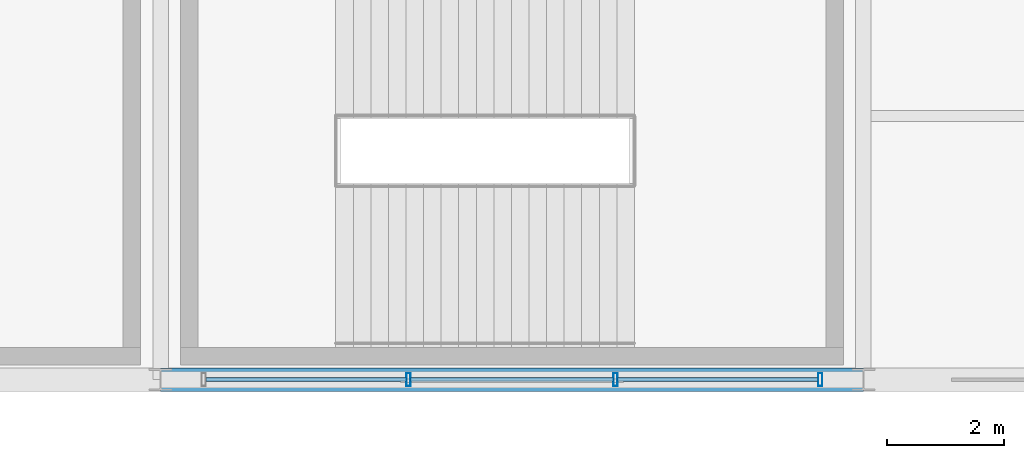
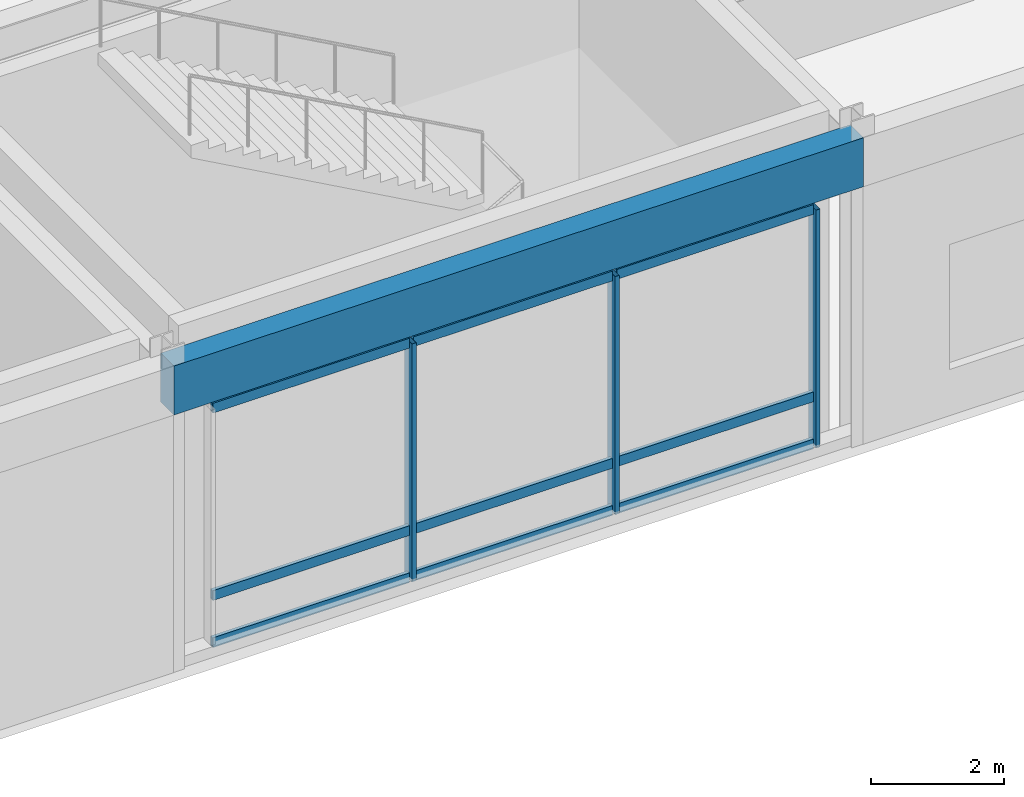
# One storey, part 47 of 108: 12 members, 1 beam, 1 element without a shape of its own.
"""IFC4 building model written with IfcOpenShell, lengths in metres."""

from ifc_helpers import new_model, si_unit, direction, frame, origin, origin_2d, place, context, subcontext, project, spatial, rectangle, hollow_rectangle, extrude, material, material_profile, profile_set, type_object, element, aggregate, save


model = new_model("IFC4")

# Units and contexts
model_context = context("Model", 3, precision=1e-05, world=origin(), true_north=direction((0.0, 1.0)))
body_context = subcontext(model_context, "Body", "Model", "MODEL_VIEW")
ifc_project = project(units=[si_unit("LENGTHUNIT", "METRE"), si_unit("AREAUNIT", "SQUARE_METRE"), si_unit("VOLUMEUNIT", "CUBIC_METRE"), si_unit("PLANEANGLEUNIT", "RADIAN"), si_unit("MASSUNIT", "GRAM", prefix="KILO")], contexts=[model_context])

# Site, building, storey
site_placement = place(None, origin())
site = spatial("IfcSite", under=ifc_project, at=site_placement, CompositionType="ELEMENT")
building_placement = place(site_placement, origin())
building = spatial("IfcBuilding", under=site, at=building_placement, Name="Kaldorvane Square Convention Centre", CompositionType="ELEMENT")
storey_placement = place(building_placement, frame((0.0, 0.0, 12.0)))
storey = spatial("IfcBuildingStorey", under=building, at=storey_placement, Name="L02", CompositionType="ELEMENT", Elevation=12.0)

# Beam
ifc_material_1 = material(Name="Concrete f'c = 42 MPa (Normalweight)", Category="concrete")
ifc_material_profile_1 = material_profile(ifc_material_1, rectangle(XDim=0.399993896484375, YDim=0.899993896484375, at=origin_2d()), Name="RCSP900X400")
ifc_profile_set_1 = profile_set([ifc_material_profile_1], Name="Concrete f'c = 42 MPa (Normalweight)")
beam_type = type_object("IfcBeamType", Name="BM-SP-RC900", PredefinedType="SPANDREL", material=ifc_profile_set_1)
beam_placement = place(storey_placement, frame((126.0, 0.0, 5.1959991455078125), z_axis=(1.0, 0.0, 0.0), x_axis=(0.0, 1.0, 0.0)))
element("IfcBeam", 1, at=beam_placement, inside=storey, type_object=beam_type, Name="Perimeter Spandrel (L02)", PredefinedType="SPANDREL", context=body_context, shape_type="SweptSolid", body=[
    extrude(rectangle(XDim=0.399993896484375, YDim=0.899993896484375, at=origin_2d()), origin(), (0.0, 0.0, 1.0), 12.0),
])

# Curtain wall, members
ifc_material_2 = material(Name="Anodized Aluminum and Low-E Insulated Glazing", Category="aluminium")
curtain_wall_type = type_object("IfcCurtainWallType", Name="CW-UNI-P60-12", PredefinedType="USERDEFINED", material=ifc_material_2)
curtain_wall_placement = place(storey_placement, origin())
curtain_wall = element("IfcCurtainWall", 2, at=curtain_wall_placement, inside=storey, type_object=curtain_wall_type, Name="Curtain Wall CW-01 (L02)", ObjectType="UNITISED GLAZING", PredefinedType="USERDEFINED")
ifc_material_profile_2 = material_profile(ifc_material_2, hollow_rectangle(XDim=0.0749969482421875, YDim=0.220001220703125, WallThickness=0.003997802734375, at=origin_2d()), Name="CWM-220X75")
ifc_profile_set_2 = profile_set([ifc_material_profile_2], Name="Anodized Aluminum and Low-E Insulated Glazing")
member_type_1 = type_object("IfcMemberType", Name="CW-MUL-220", PredefinedType="MULLION", material=ifc_profile_set_2)
member_1_placement = place(storey_placement, frame((130.23333740234375, 0.0, 0.149993896484375), z_axis=(0.0, 0.0, 1.0), x_axis=(1.0, 0.0, 0.0)))
member_1 = element("IfcMember", 3, at=member_1_placement, type_object=member_type_1, Name="CW-01 mullion 2", PredefinedType="MULLION", context=body_context, shape_type="SweptSolid", body=[
    extrude(hollow_rectangle(XDim=0.0749969482421875, YDim=0.220001220703125, WallThickness=0.003997802734375, at=origin_2d()), origin(), (0.0, 0.0, 1.0), 4.3800048828125),
])
member_2_placement = place(storey_placement, frame((133.76666259765625, 0.0, 0.149993896484375), z_axis=(0.0, 0.0, 1.0), x_axis=(1.0, 0.0, 0.0)))
member_2 = element("IfcMember", 4, at=member_2_placement, type_object=member_type_1, Name="CW-01 mullion 3", PredefinedType="MULLION", context=body_context, shape_type="SweptSolid", body=[
    extrude(hollow_rectangle(XDim=0.0749969482421875, YDim=0.220001220703125, WallThickness=0.003997802734375, at=origin_2d()), origin(), (0.0, 0.0, 1.0), 4.3800048828125),
])
member_3_placement = place(storey_placement, frame((137.2624969482422, 0.0, 0.149993896484375), z_axis=(0.0, 0.0, 1.0), x_axis=(1.0, 0.0, 0.0)))
member_3 = element("IfcMember", 5, at=member_3_placement, type_object=member_type_1, Name="CW-01 mullion 4", PredefinedType="MULLION", context=body_context, shape_type="SweptSolid", body=[
    extrude(hollow_rectangle(XDim=0.0749969482421875, YDim=0.220001220703125, WallThickness=0.003997802734375, at=origin_2d()), origin(), (0.0, 0.0, 1.0), 4.3800048828125),
])
ifc_material_profile_3 = material_profile(ifc_material_2, hollow_rectangle(XDim=0.06500244140625, YDim=0.17999267578125, WallThickness=0.0034942626953125, at=origin_2d()), Name="CWT-180X65")
ifc_profile_set_3 = profile_set([ifc_material_profile_3], Name="Anodized Aluminum and Low-E Insulated Glazing")
member_type_2 = type_object("IfcMemberType", Name="CW-TRN-180", PredefinedType="USERDEFINED", material=ifc_profile_set_3)
member_4_placement = place(storey_placement, frame((126.77499389648438, 0.0, 0.1824951171875), z_axis=(1.0, 0.0, 0.0), x_axis=(0.0, 1.0, 0.0)))
member_4 = element("IfcMember", 6, at=member_4_placement, type_object=member_type_2, Name="CW-01 transom 1.1", ObjectType="TRANSOM", PredefinedType="USERDEFINED", context=body_context, shape_type="SweptSolid", body=[
    extrude(hollow_rectangle(XDim=0.06500244140625, YDim=0.17999267578125, WallThickness=0.0034942626953125, at=origin_2d()), origin(), (0.0, 0.0, 1.0), 3.42083740234375),
])
member_5_placement = place(storey_placement, frame((126.77499389648438, 0.0, 1.0500030517578125), z_axis=(1.0, 0.0, 0.0), x_axis=(0.0, 1.0, 0.0)))
member_5 = element("IfcMember", 7, at=member_5_placement, type_object=member_type_2, Name="CW-01 transom 1.2", ObjectType="TRANSOM", PredefinedType="USERDEFINED", context=body_context, shape_type="SweptSolid", body=[
    extrude(hollow_rectangle(XDim=0.06500244140625, YDim=0.17999267578125, WallThickness=0.0034942626953125, at=origin_2d()), origin(), (0.0, 0.0, 1.0), 3.42083740234375),
])
member_6_placement = place(storey_placement, frame((126.77499389648438, 0.0, 4.49749755859375), z_axis=(1.0, 0.0, 0.0), x_axis=(0.0, 1.0, 0.0)))
member_6 = element("IfcMember", 8, at=member_6_placement, type_object=member_type_2, Name="CW-01 transom 1.3", ObjectType="TRANSOM", PredefinedType="USERDEFINED", context=body_context, shape_type="SweptSolid", body=[
    extrude(hollow_rectangle(XDim=0.06500244140625, YDim=0.17999267578125, WallThickness=0.0034942626953125, at=origin_2d()), origin(), (0.0, 0.0, 1.0), 3.42083740234375),
])
member_7_placement = place(storey_placement, frame((130.2708282470703, 0.0, 0.1824951171875), z_axis=(1.0, 0.0, 0.0), x_axis=(0.0, 1.0, 0.0)))
member_7 = element("IfcMember", 9, at=member_7_placement, type_object=member_type_2, Name="CW-01 transom 2.1", ObjectType="TRANSOM", PredefinedType="USERDEFINED", context=body_context, shape_type="SweptSolid", body=[
    extrude(hollow_rectangle(XDim=0.06500244140625, YDim=0.17999267578125, WallThickness=0.0034942626953125, at=origin_2d()), origin(), (0.0, 0.0, 1.0), 3.458343505859375),
])
member_8_placement = place(storey_placement, frame((130.2708282470703, 0.0, 1.0500030517578125), z_axis=(1.0, 0.0, 0.0), x_axis=(0.0, 1.0, 0.0)))
member_8 = element("IfcMember", 10, at=member_8_placement, type_object=member_type_2, Name="CW-01 transom 2.2", ObjectType="TRANSOM", PredefinedType="USERDEFINED", context=body_context, shape_type="SweptSolid", body=[
    extrude(hollow_rectangle(XDim=0.06500244140625, YDim=0.17999267578125, WallThickness=0.0034942626953125, at=origin_2d()), origin(), (0.0, 0.0, 1.0), 3.458343505859375),
])
member_9_placement = place(storey_placement, frame((130.2708282470703, 0.0, 4.49749755859375), z_axis=(1.0, 0.0, 0.0), x_axis=(0.0, 1.0, 0.0)))
member_9 = element("IfcMember", 11, at=member_9_placement, type_object=member_type_2, Name="CW-01 transom 2.3", ObjectType="TRANSOM", PredefinedType="USERDEFINED", context=body_context, shape_type="SweptSolid", body=[
    extrude(hollow_rectangle(XDim=0.06500244140625, YDim=0.17999267578125, WallThickness=0.0034942626953125, at=origin_2d()), origin(), (0.0, 0.0, 1.0), 3.458343505859375),
])
member_10_placement = place(storey_placement, frame((133.80416870117188, 0.0, 0.1824951171875), z_axis=(1.0, 0.0, 0.0), x_axis=(0.0, 1.0, 0.0)))
member_10 = element("IfcMember", 12, at=member_10_placement, type_object=member_type_2, Name="CW-01 transom 3.1", ObjectType="TRANSOM", PredefinedType="USERDEFINED", context=body_context, shape_type="SweptSolid", body=[
    extrude(hollow_rectangle(XDim=0.06500244140625, YDim=0.17999267578125, WallThickness=0.0034942626953125, at=origin_2d()), origin(), (0.0, 0.0, 1.0), 3.42083740234375),
])
member_11_placement = place(storey_placement, frame((133.80416870117188, 0.0, 1.0500030517578125), z_axis=(1.0, 0.0, 0.0), x_axis=(0.0, 1.0, 0.0)))
member_11 = element("IfcMember", 13, at=member_11_placement, type_object=member_type_2, Name="CW-01 transom 3.2", ObjectType="TRANSOM", PredefinedType="USERDEFINED", context=body_context, shape_type="SweptSolid", body=[
    extrude(hollow_rectangle(XDim=0.06500244140625, YDim=0.17999267578125, WallThickness=0.0034942626953125, at=origin_2d()), origin(), (0.0, 0.0, 1.0), 3.42083740234375),
])
member_12_placement = place(storey_placement, frame((133.80416870117188, 0.0, 4.49749755859375), z_axis=(1.0, 0.0, 0.0), x_axis=(0.0, 1.0, 0.0)))
member_12 = element("IfcMember", 14, at=member_12_placement, type_object=member_type_2, Name="CW-01 transom 3.3", ObjectType="TRANSOM", PredefinedType="USERDEFINED", context=body_context, shape_type="SweptSolid", body=[
    extrude(hollow_rectangle(XDim=0.06500244140625, YDim=0.17999267578125, WallThickness=0.0034942626953125, at=origin_2d()), origin(), (0.0, 0.0, 1.0), 3.42083740234375),
])
aggregate(curtain_wall, [member_1, member_2, member_3, member_4, member_5, member_6, member_7, member_8, member_9, member_10, member_11, member_12])

save(model, "model.ifc")
